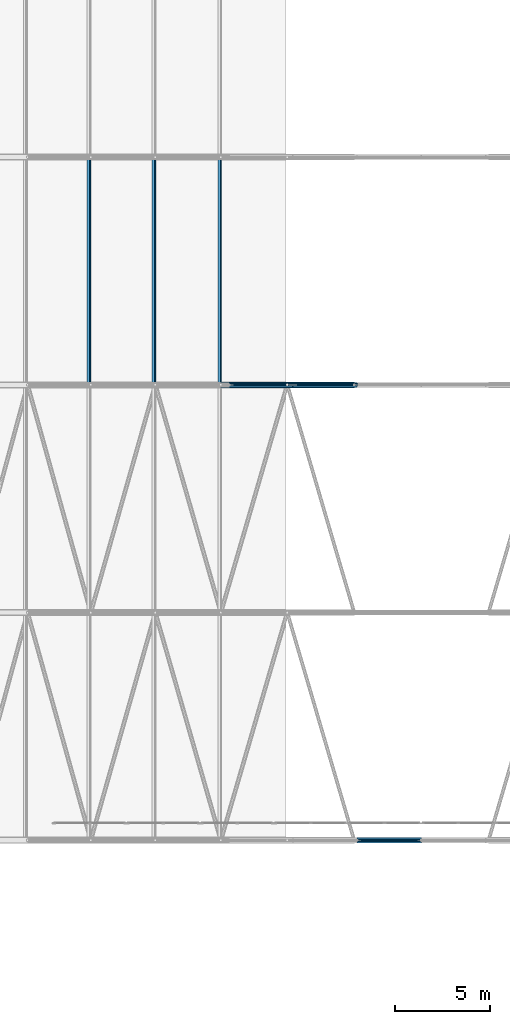
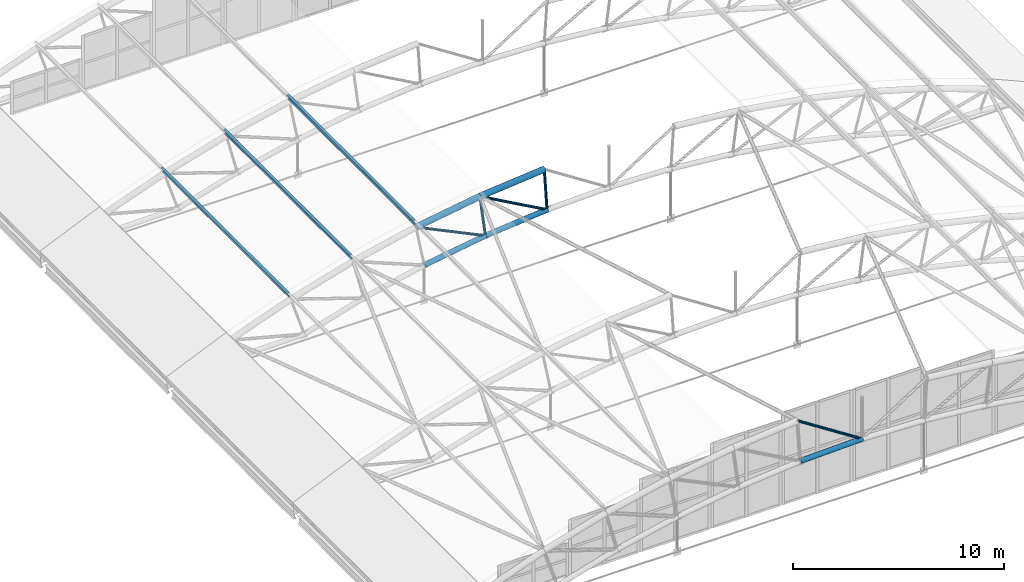
# One storey, part 120 of 321: 13 members.
"""IFC4 building model written with IfcOpenShell, lengths in metres."""

from ifc_helpers import new_model, si_unit, direction, frame, origin, origin_2d, place, context, subcontext, project, spatial, hollow_circle, i_section, extrude, material, material_profile, profile_set, type_object, element, save


model = new_model("IFC4")

# Units and contexts
model_context = context("Model", 3, precision=1e-05, world=origin(), true_north=direction((0.0, 1.0)))
body_context = subcontext(model_context, "Body", "Model", "MODEL_VIEW")
ifc_project = project(units=[si_unit("LENGTHUNIT", "METRE"), si_unit("AREAUNIT", "SQUARE_METRE"), si_unit("VOLUMEUNIT", "CUBIC_METRE"), si_unit("PLANEANGLEUNIT", "RADIAN"), si_unit("MASSUNIT", "GRAM", prefix="KILO")], contexts=[model_context])

# Site, building, storey
site_placement = place(None, origin())
site = spatial("IfcSite", under=ifc_project, at=site_placement, CompositionType="ELEMENT")
building_placement = place(site_placement, origin())
building = spatial("IfcBuilding", under=site, at=building_placement, Name="Ravi Spectrum Wholesale Market", CompositionType="ELEMENT")
storey_placement = place(building_placement, frame((0.0, 0.0, 10.800048828125)))
storey = spatial("IfcBuildingStorey", under=building, at=storey_placement, Name="L02", CompositionType="ELEMENT", Elevation=10.800048828125)

# Members
ifc_material_1 = material(Name="Steel S355", Category="steel")
ifc_material_profile_1 = material_profile(ifc_material_1, hollow_circle(Radius=0.06982421875, WallThickness=0.0048828125, at=origin_2d()))
ifc_profile_set_1 = profile_set([ifc_material_profile_1], Name="Steel S355")
member_type_1 = type_object("IfcMemberType", Name="CHS 139.7x5 brace", PredefinedType="BRACE", material=ifc_profile_set_1)
member_1_placement = place(storey_placement, frame((170.459228515625, 78.0, 5.2880859375), z_axis=(0.839894736946, 0.0, -0.542749325978), x_axis=(0.0, 1.0, 0.0)))
element("IfcMember", 1, at=member_1_placement, inside=storey, type_object=member_type_1, Name="H2-MB-L02-047", PredefinedType="BRACE", context=body_context, shape_type="SweptSolid", body=[
    extrude(hollow_circle(Radius=0.06982421875, WallThickness=0.0048828125, at=origin_2d()), origin(), (0.0, 0.0, 1.0), 4.2158203125),
])
for number, where, z_axis, x_axis, name in (
    (2, (163.434326171875, 102.0, 4.394775390625), (0.901638699511, 0.0, -0.432490064098), (0.0, 1.0, 0.0), "H2-MB-L02-157"),
    (3, (166.9326171875, 102.0, 4.952392578125), (0.872529716562, 0.0, -0.488561044001), (0.0, 1.0, 0.0), "H2-MB-L02-158"),
):
    element("IfcMember", number, at=place(storey_placement, frame(where, z_axis=z_axis, x_axis=x_axis)), inside=storey, type_object=member_type_1, Name=name, PredefinedType="BRACE", context=body_context, shape_type="SweptSolid", body=[
        extrude(hollow_circle(Radius=0.06982421875, WallThickness=0.0048828125, at=origin_2d()), origin(), (0.0, 0.0, 1.0), 4.215576171875),
    ])
ifc_material_2 = material(Name="Steel S355", Category="steel")
ifc_material_profile_2 = material_profile(ifc_material_2, hollow_circle(Radius=0.06982421875, WallThickness=0.0048828125, at=origin_2d()))
ifc_profile_set_2 = profile_set([ifc_material_profile_2], Name="Steel S355")
member_type_2 = type_object("IfcMemberType", Name="CHS 139.7x5 post", PredefinedType="POST", material=ifc_profile_set_2)
for number, where, z_axis, x_axis, name in (
    (4, (166.9326171875, 102.0, 4.952392578125), (0.126137795856, 0.0, -0.992012729987), (0.0, 1.0, 0.0), "H2-MB-L02-145"),
    (5, (170.459228515625, 102.0, 5.2880859375), (0.06316988397, 0.0, -0.998002788453), (0.0, 1.0, 0.0), "H2-MB-L02-146"),
):
    element("IfcMember", number, at=place(storey_placement, frame(where, z_axis=z_axis, x_axis=x_axis)), inside=storey, type_object=member_type_2, Name=name, PredefinedType="POST", context=body_context, shape_type="SweptSolid", body=[
        extrude(hollow_circle(Radius=0.06982421875, WallThickness=0.0048828125, at=origin_2d()), origin(), (0.0, 0.0, 1.0), 2.400146484375),
    ])
ifc_material_3 = material(Name="Steel S355", Category="steel")
ifc_material_profile_3 = material_profile(ifc_material_3, hollow_circle(Radius=0.136474609375, WallThickness=0.010009765625, at=origin_2d()))
ifc_profile_set_3 = profile_set([ifc_material_profile_3], Name="Steel S355")
member_type_3 = type_object("IfcMemberType", Name="CHS 273x10 chord", PredefinedType="CHORD", material=ifc_profile_set_3)
for number, where, z_axis, x_axis, name in (
    (6, (170.61083984375, 78.0, 2.892822265625), (0.999500345993, 0.0, 0.031607884447), (0.0, 1.0, 0.0), "H2-MB-L02-021"),
    (7, (163.88671875, 102.0, 2.037841796875), (0.98753659733, 0.0, 0.157389545185), (0.0, 1.0, 0.0), "H2-MB-L02-131"),
):
    element("IfcMember", number, at=place(storey_placement, frame(where, z_axis=z_axis, x_axis=x_axis)), inside=storey, type_object=member_type_3, Name=name, PredefinedType="CHORD", context=body_context, shape_type="SweptSolid", body=[
        extrude(hollow_circle(Radius=0.136474609375, WallThickness=0.010009765625, at=origin_2d()), origin(), (0.0, 0.0, 1.0), 3.390869140625),
    ])
member_2_placement = place(storey_placement, frame((167.2353515625, 102.0, 2.571533203125), z_axis=(0.995500648787, 0.0, 0.094754726877), x_axis=(0.0, 1.0, 0.0)))
element("IfcMember", 8, at=member_2_placement, inside=storey, type_object=member_type_3, Name="H2-MB-L02-132", PredefinedType="CHORD", context=body_context, shape_type="SweptSolid", body=[
    extrude(hollow_circle(Radius=0.136474609375, WallThickness=0.010009765625, at=origin_2d()), origin(), (0.0, 0.0, 1.0), 3.390625),
])
ifc_material_4 = material(Name="Steel S355", Category="steel")
ifc_material_profile_4 = material_profile(ifc_material_4, hollow_circle(Radius=0.161865234375, WallThickness=0.010009765625, at=origin_2d()))
ifc_profile_set_4 = profile_set([ifc_material_profile_4], Name="Steel S355")
member_type_4 = type_object("IfcMemberType", Name="CHS 323.9x10 chord", PredefinedType="CHORD", material=ifc_profile_set_4)
for number, where, z_axis, x_axis, name in (
    (9, (163.434326171875, 102.0, 4.394775390625), (0.987533356072, 0.0, 0.157409881029), (0.0, 1.0, 0.0), "H2-MB-L02-117"),
    (10, (166.9326171875, 102.0, 4.952392578125), (0.995500117461, 0.0, 0.094760308862), (0.0, 1.0, 0.0), "H2-MB-L02-118"),
):
    element("IfcMember", number, at=place(storey_placement, frame(where, z_axis=z_axis, x_axis=x_axis)), inside=storey, type_object=member_type_4, Name=name, PredefinedType="CHORD", context=body_context, shape_type="SweptSolid", body=[
        extrude(hollow_circle(Radius=0.161865234375, WallThickness=0.010009765625, at=origin_2d()), origin(), (0.0, 0.0, 1.0), 3.54248046875),
    ])
ifc_material_5 = material(Name="Steel S355", Category="steel")
ifc_material_profile_5 = material_profile(ifc_material_5, i_section(OverallWidth=0.135009765625, OverallDepth=0.27001953125, WebThickness=0.006591796875, FlangeThickness=0.01025390625, at=origin_2d()))
ifc_profile_set_5 = profile_set([ifc_material_profile_5], Name="Steel S355")
member_type_5 = type_object("IfcMemberType", Name="IPE 270 purlin", PredefinedType="PURLIN", material=ifc_profile_set_5)
for number, where, z_axis, x_axis, name in (
    (11, (156.485595703125, 102.0, 2.90478515625), (0.0, 1.0, 0.0), (-0.950435264979, 0.0, -0.310922509774), "H2-MB-L02-313"),
    (12, (159.90380859375, 102.0, 3.904541015625), (0.0, 1.0, 0.0), (-0.968183171472, 0.0, -0.250242575271), "H2-MB-L02-314"),
    (13, (163.378173828125, 102.0, 4.6865234375), (0.0, 1.0, 0.0), (-0.982061208549, 0.0, -0.188562410526), "H2-MB-L02-315"),
):
    element("IfcMember", number, at=place(storey_placement, frame(where, z_axis=z_axis, x_axis=x_axis)), inside=storey, type_object=member_type_5, Name=name, PredefinedType="PURLIN", context=body_context, shape_type="SweptSolid", body=[
        extrude(i_section(OverallWidth=0.135009765625, OverallDepth=0.27001953125, WebThickness=0.006591796875, FlangeThickness=0.01025390625, at=origin_2d()), origin(), (0.0, 0.0, 1.0), 12.0),
    ])

save(model, "model.ifc")
